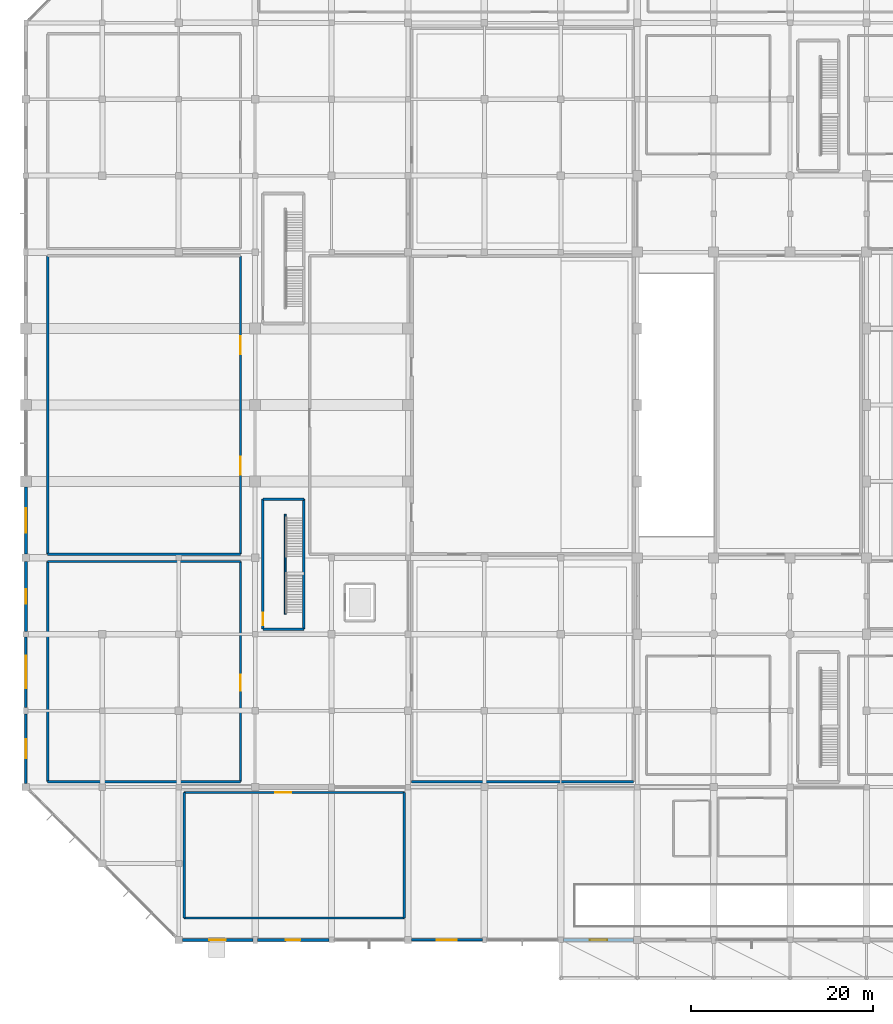
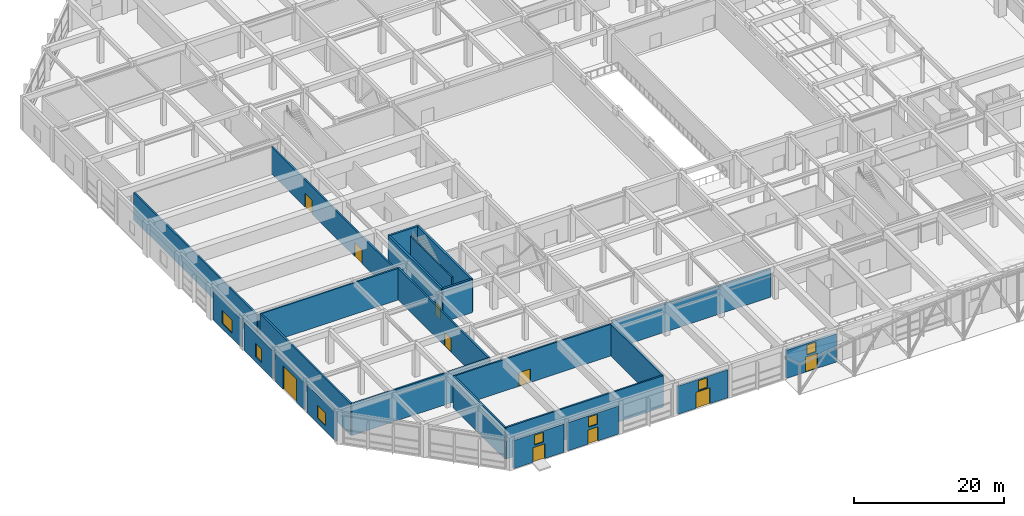
# One storey, part 41 of 62: 25 walls, 10 doors, 7 windows, 17 openings.
"""IFC4 building model written with IfcOpenShell, lengths in metres."""

from ifc_helpers import new_model, si_unit, direction, frame, frame_2d, origin, place, context, subcontext, project, spatial, rectangle, extrude, material, layer, layer_set, type_object, element, fill, save


model = new_model("IFC4")

# Units and contexts
model_context = context("Model", 3, precision=1e-05, world=origin(), true_north=direction((0.0, 1.0)))
body_context = subcontext(model_context, "Body", "Model", "MODEL_VIEW")
ifc_project = project(units=[si_unit("LENGTHUNIT", "METRE"), si_unit("AREAUNIT", "SQUARE_METRE"), si_unit("VOLUMEUNIT", "CUBIC_METRE"), si_unit("PLANEANGLEUNIT", "RADIAN"), si_unit("MASSUNIT", "GRAM", prefix="KILO")], contexts=[model_context])

# Site, building, storey
site_placement = place(None, origin())
site = spatial("IfcSite", under=ifc_project, at=site_placement, CompositionType="ELEMENT")
building_placement = place(site_placement, origin())
building = spatial("IfcBuilding", under=site, at=building_placement, Name="Xuanlan Plaza Opera House", CompositionType="ELEMENT")
storey_placement = place(building_placement, origin())
storey = spatial("IfcBuildingStorey", under=building, at=storey_placement, Name="L00", CompositionType="ELEMENT", Elevation=0.0)

# Wall, openings, door, window
ifc_material_1 = material(Name="Anodised Aluminium 6063-T6 and Rockwool Cladding", Category="aluminium")
ifc_layer_1 = layer(ifc_material_1, 0.340087890625)
ifc_layer_set_1 = layer_set([ifc_layer_1], Name="Anodised Aluminium 6063-T6 and Rockwool Cladding")
wall_type_1 = type_object("IfcWallType", Name="ENV-WL-EW-02", PredefinedType="STANDARD", material=ifc_layer_set_1)
wall_1_placement = place(storey_placement, frame((59.10009765625, 0.0, 0.0), z_axis=(0.0, 0.0, 1.0), x_axis=(1.0, 0.0, 0.0)))
wall_1 = element("IfcWall", 1, at=wall_1_placement, inside=storey, type_object=wall_type_1, Name="Exterior Wall L00-006", PredefinedType="STANDARD", context=body_context, shape_type="SweptSolid", body=[
    extrude(rectangle(XDim=7.699951171875, YDim=0.340087890625, at=frame_2d((3.85009765625, 0.0))), origin(), (0.0, 0.0, 1.0), 4.580078125),
])
opening_1_placement = place(wall_1_placement, frame((2.89990234375, 0.0, 0.0)))
opening_1 = element("IfcOpeningElement", 2, at=opening_1_placement, cuts=wall_1, Name="Opening ED-05", PredefinedType="OPENING", context=body_context, shape_type="SweptSolid", body=[
    extrude(rectangle(XDim=1.89990234375, YDim=2.449951171875, at=frame_2d((0.949951171875, 1.22509765625))), frame((0.0, 0.179931640625, 0.0), z_axis=(0.0, -1.0, 0.0), x_axis=(1.0, 0.0, 0.0)), (0.0, 0.0, 1.0), 0.360107421875),
])
opening_2_placement = place(wall_1_placement, frame((3.14990234375, 0.0, 2.75)))
opening_2 = element("IfcOpeningElement", 3, at=opening_2_placement, cuts=wall_1, Name="Opening WN-08", PredefinedType="OPENING", context=body_context, shape_type="SweptSolid", body=[
    extrude(rectangle(XDim=1.39990234375, YDim=1.60009765625, at=frame_2d((0.699951171875, 0.800048828125))), frame((0.0, 0.179931640625, 0.0), z_axis=(0.0, -1.0, 0.0), x_axis=(1.0, 0.0, 0.0)), (0.0, 0.0, 1.0), 0.360107421875),
])
ifc_material_2 = material(Name="Anodised Aluminium 6063-T6 and Laminated Safety Glass", Category="aluminium")
door_type_1 = type_object("IfcDoorType", Name="ENV-DR-ED-05", OperationType="DOUBLE_DOOR_SINGLE_SWING", PredefinedType="DOOR", material=ifc_material_2)
door_1_placement = place(opening_1_placement, frame((1.89990234375, 0.0, 0.0), z_axis=(0.0, 0.0, 1.0), x_axis=(-1.0, 0.0, 0.0)))
door_1 = element("IfcDoor", 4, at=door_1_placement, inside=storey, type_object=door_type_1, Name="Plaza Pedestrian Exit Door 04", OperationType="DOUBLE_DOOR_SINGLE_SWING", OverallHeight=2.449951171875, OverallWidth=1.89990234375, PredefinedType="DOOR", context=body_context, shape_type="SweptSolid", body=[
    extrude(rectangle(XDim=1.89990234375, YDim=2.449951171875, at=frame_2d((0.949951171875, 1.22509765625))), frame((0.0, 0.02490234375, 0.0), z_axis=(0.0, -1.0, 0.0), x_axis=(1.0, 0.0, 0.0)), (0.0, 0.0, 1.0), 0.050048828125),
])
fill(opening_1, door_1)
ifc_material_3 = material(Name="Anodised Aluminium 6063-T6 and Low-E Glass", Category="aluminium")
window_type_1 = type_object("IfcWindowType", Name="ENV-WN-WN-08", PartitioningType="SINGLE_PANEL", PredefinedType="WINDOW", material=ifc_material_3)
window_1_placement = place(opening_2_placement, origin())
window_1 = element("IfcWindow", 5, at=window_1_placement, inside=storey, type_object=window_type_1, Name="Entrance Portal Transom Clerestory 04", OverallHeight=1.60009765625, OverallWidth=1.39990234375, PartitioningType="SINGLE_PANEL", PredefinedType="WINDOW", context=body_context, shape_type="SweptSolid", body=[
    extrude(rectangle(XDim=1.39990234375, YDim=1.60009765625, at=frame_2d((0.699951171875, 0.800048828125))), frame((0.0, 0.030029296875, 0.0), z_axis=(0.0, -1.0, 0.0), x_axis=(1.0, 0.0, 0.0)), (0.0, 0.0, 1.0), 0.06005859375),
])
fill(opening_2, window_1)

ifc_layer_2 = layer(ifc_material_1, 0.320068359375)
ifc_layer_set_2 = layer_set([ifc_layer_2], Name="Anodised Aluminium 6063-T6 and Rockwool Cladding")
wall_type_2 = type_object("IfcWallType", Name="ENV-WL-EW-03", PredefinedType="STANDARD", material=ifc_layer_set_2)
wall_2_placement = place(storey_placement, frame((17.199951171875, 0.0, 0.0), z_axis=(0.0, 0.0, 1.0), x_axis=(1.0, 0.0, 0.0)))
wall_2 = element("IfcWall", 6, at=wall_2_placement, inside=storey, type_object=wall_type_2, Name="Exterior Wall L00-001", PredefinedType="STANDARD", context=body_context, shape_type="SweptSolid", body=[
    extrude(rectangle(XDim=7.75, YDim=0.320068359375, at=frame_2d((3.875, 0.0))), origin(), (0.0, 0.0, 1.0), 4.580078125),
])
opening_3_placement = place(wall_2_placement, frame((2.97509765625, 0.0, 0.0)))
opening_3 = element("IfcOpeningElement", 7, at=opening_3_placement, cuts=wall_2, Name="Opening ED-02", PredefinedType="OPENING", context=body_context, shape_type="SweptSolid", body=[
    extrude(rectangle(XDim=1.800048828125, YDim=2.39990234375, at=frame_2d((0.89990234375, 1.199951171875))), frame((0.0, 0.169921875, 0.0), z_axis=(0.0, -1.0, 0.0), x_axis=(1.0, 0.0, 0.0)), (0.0, 0.0, 1.0), 0.340087890625),
])
opening_4_placement = place(wall_2_placement, frame((3.175048828125, 0.0, 2.75)))
opening_4 = element("IfcOpeningElement", 8, at=opening_4_placement, cuts=wall_2, Name="Opening WN-08", PredefinedType="OPENING", context=body_context, shape_type="SweptSolid", body=[
    extrude(rectangle(XDim=1.39990234375, YDim=1.60009765625, at=frame_2d((0.699951171875, 0.800048828125))), frame((0.0, 0.169921875, 0.0), z_axis=(0.0, -1.0, 0.0), x_axis=(1.0, 0.0, 0.0)), (0.0, 0.0, 1.0), 0.340087890625),
])
door_type_2 = type_object("IfcDoorType", Name="ENV-DR-ED-02", OperationType="DOUBLE_DOOR_SINGLE_SWING", PredefinedType="DOOR", material=ifc_material_2)
door_2_placement = place(opening_3_placement, frame((1.800048828125, 0.0, 0.0), z_axis=(0.0, 0.0, 1.0), x_axis=(-1.0, 0.0, 0.0)))
door_2 = element("IfcDoor", 9, at=door_2_placement, inside=storey, type_object=door_type_2, Name="Plaza Pedestrian Exit Door 01", OperationType="DOUBLE_DOOR_SINGLE_SWING", OverallHeight=2.39990234375, OverallWidth=1.800048828125, PredefinedType="DOOR", context=body_context, shape_type="SweptSolid", body=[
    extrude(rectangle(XDim=1.800048828125, YDim=2.39990234375, at=frame_2d((0.89990234375, 1.199951171875))), frame((0.0, 0.02490234375, 0.0), z_axis=(0.0, -1.0, 0.0), x_axis=(1.0, 0.0, 0.0)), (0.0, 0.0, 1.0), 0.050048828125),
])
fill(opening_3, door_2)
window_2_placement = place(opening_4_placement, origin())
window_2 = element("IfcWindow", 10, at=window_2_placement, inside=storey, type_object=window_type_1, Name="Entrance Portal Transom Clerestory 01", OverallHeight=1.60009765625, OverallWidth=1.39990234375, PartitioningType="SINGLE_PANEL", PredefinedType="WINDOW", context=body_context, shape_type="SweptSolid", body=[
    extrude(rectangle(XDim=1.39990234375, YDim=1.60009765625, at=frame_2d((0.699951171875, 0.800048828125))), frame((0.0, 0.030029296875, 0.0), z_axis=(0.0, -1.0, 0.0), x_axis=(1.0, 0.0, 0.0)), (0.0, 0.0, 1.0), 0.06005859375),
])
fill(opening_4, window_2)

# Wall, opening, window
wall_3_placement = place(storey_placement, frame((0.0, 49.800048828125, 0.0), z_axis=(0.0, 0.0, 1.0), x_axis=(0.0, -1.0, 0.0)))
wall_3 = element("IfcWall", 11, at=wall_3_placement, inside=storey, type_object=wall_type_2, Name="Exterior Wall L00-055", PredefinedType="STANDARD", context=body_context, shape_type="SweptSolid", body=[
    extrude(rectangle(XDim=7.400146484375, YDim=0.320068359375, at=frame_2d((3.7001953125, 0.0))), origin(), (0.0, 0.0, 1.0), 4.580078125),
])
opening_5_placement = place(wall_3_placement, frame((2.35009765625, 0.0, 0.85009765625)))
opening_5 = element("IfcOpeningElement", 12, at=opening_5_placement, cuts=wall_3, Name="Opening WN-19", PredefinedType="OPENING", context=body_context, shape_type="SweptSolid", body=[
    extrude(rectangle(XDim=2.699951171875, YDim=2.10009765625, at=frame_2d((1.35009765625, 1.050048828125))), frame((0.0, 0.169921875, 0.0), z_axis=(0.0, -1.0, 0.0), x_axis=(1.0, 0.0, 0.0)), (0.0, 0.0, 1.0), 0.340087890625),
])
window_type_2 = type_object("IfcWindowType", Name="ENV-WN-WN-19", PartitioningType="TRIPLE_PANEL_VERTICAL", PredefinedType="WINDOW", material=ifc_material_3)
window_3_placement = place(opening_5_placement, origin())
window_3 = element("IfcWindow", 13, at=window_3_placement, inside=storey, type_object=window_type_2, Name="Facade Window L00-055", OverallHeight=2.10009765625, OverallWidth=2.699951171875, PartitioningType="TRIPLE_PANEL_VERTICAL", PredefinedType="WINDOW", context=body_context, shape_type="SweptSolid", body=[
    extrude(rectangle(XDim=2.699951171875, YDim=2.10009765625, at=frame_2d((1.35009765625, 1.050048828125))), frame((0.0, 0.030029296875, 0.0), z_axis=(0.0, -1.0, 0.0), x_axis=(1.0, 0.0, 0.0)), (0.0, 0.0, 1.0), 0.06005859375),
])
fill(opening_5, window_3)

# Wall, openings, door, window
ifc_layer_3 = layer(ifc_material_1, 0.31005859375)
ifc_layer_set_3 = layer_set([ifc_layer_3], Name="Anodised Aluminium 6063-T6 and Rockwool Cladding")
wall_type_3 = type_object("IfcWallType", Name="ENV-WL-EW-04", PredefinedType="STANDARD", material=ifc_layer_set_3)
wall_4_placement = place(storey_placement, frame((25.449951171875, 0.0, 0.0), z_axis=(0.0, 0.0, 1.0), x_axis=(1.0, 0.0, 0.0)))
wall_4 = element("IfcWall", 14, at=wall_4_placement, inside=storey, type_object=wall_type_3, Name="Exterior Wall L00-002", PredefinedType="STANDARD", context=body_context, shape_type="SweptSolid", body=[
    extrude(rectangle(XDim=7.85009765625, YDim=0.31005859375, at=frame_2d((3.925048828125, 0.0))), origin(), (0.0, 0.0, 1.0), 4.580078125),
])
opening_6_placement = place(wall_4_placement, frame((3.125, 0.0, 0.0)))
opening_6 = element("IfcOpeningElement", 15, at=opening_6_placement, cuts=wall_4, Name="Opening ED-03", PredefinedType="OPENING", context=body_context, shape_type="SweptSolid", body=[
    extrude(rectangle(XDim=1.60009765625, YDim=2.300048828125, at=frame_2d((0.800048828125, 1.14990234375))), frame((0.0, 0.1650390625, 0.0), z_axis=(0.0, -1.0, 0.0), x_axis=(1.0, 0.0, 0.0)), (0.0, 0.0, 1.0), 0.330078125),
])
opening_7_placement = place(wall_4_placement, frame((3.22509765625, 0.0, 2.75)))
opening_7 = element("IfcOpeningElement", 16, at=opening_7_placement, cuts=wall_4, Name="Opening WN-08", PredefinedType="OPENING", context=body_context, shape_type="SweptSolid", body=[
    extrude(rectangle(XDim=1.39990234375, YDim=1.60009765625, at=frame_2d((0.699951171875, 0.800048828125))), frame((0.0, 0.1650390625, 0.0), z_axis=(0.0, -1.0, 0.0), x_axis=(1.0, 0.0, 0.0)), (0.0, 0.0, 1.0), 0.330078125),
])
door_type_3 = type_object("IfcDoorType", Name="ENV-DR-ED-03", OperationType="DOUBLE_DOOR_SINGLE_SWING", PredefinedType="DOOR", material=ifc_material_2)
door_3_placement = place(opening_6_placement, frame((1.60009765625, 0.0, 0.0), z_axis=(0.0, 0.0, 1.0), x_axis=(-1.0, 0.0, 0.0)))
door_3 = element("IfcDoor", 17, at=door_3_placement, inside=storey, type_object=door_type_3, Name="Plaza Pedestrian Exit Door 02", OperationType="DOUBLE_DOOR_SINGLE_SWING", OverallHeight=2.300048828125, OverallWidth=1.60009765625, PredefinedType="DOOR", context=body_context, shape_type="SweptSolid", body=[
    extrude(rectangle(XDim=1.60009765625, YDim=2.300048828125, at=frame_2d((0.800048828125, 1.14990234375))), frame((0.0, 0.02490234375, 0.0), z_axis=(0.0, -1.0, 0.0), x_axis=(1.0, 0.0, 0.0)), (0.0, 0.0, 1.0), 0.050048828125),
])
fill(opening_6, door_3)
window_4_placement = place(opening_7_placement, origin())
window_4 = element("IfcWindow", 18, at=window_4_placement, inside=storey, type_object=window_type_1, Name="Entrance Portal Transom Clerestory 02", OverallHeight=1.60009765625, OverallWidth=1.39990234375, PartitioningType="SINGLE_PANEL", PredefinedType="WINDOW", context=body_context, shape_type="SweptSolid", body=[
    extrude(rectangle(XDim=1.39990234375, YDim=1.60009765625, at=frame_2d((0.699951171875, 0.800048828125))), frame((0.0, 0.030029296875, 0.0), z_axis=(0.0, -1.0, 0.0), x_axis=(1.0, 0.0, 0.0)), (0.0, 0.0, 1.0), 0.06005859375),
])
fill(opening_7, window_4)

# Wall, opening, window
wall_5_placement = place(storey_placement, frame((0.0, 41.60009765625, 0.0), z_axis=(0.0, 0.0, 1.0), x_axis=(0.0, -1.0, 0.0)))
wall_5 = element("IfcWall", 19, at=wall_5_placement, inside=storey, type_object=wall_type_3, Name="Exterior Wall L00-056", PredefinedType="STANDARD", context=body_context, shape_type="SweptSolid", body=[
    extrude(rectangle(XDim=7.7001953125, YDim=0.31005859375, at=frame_2d((3.85009765625, 0.0))), origin(), (0.0, 0.0, 1.0), 4.580078125),
])
opening_8_placement = place(wall_5_placement, frame((3.074951171875, 0.0, 0.85009765625)))
opening_8 = element("IfcOpeningElement", 20, at=opening_8_placement, cuts=wall_5, Name="Opening WN-20", PredefinedType="OPENING", context=body_context, shape_type="SweptSolid", body=[
    extrude(rectangle(XDim=1.550048828125, YDim=2.14990234375, at=frame_2d((0.77490234375, 1.074951171875))), frame((0.0, 0.1650390625, 0.0), z_axis=(0.0, -1.0, 0.0), x_axis=(1.0, 0.0, 0.0)), (0.0, 0.0, 1.0), 0.330078125),
])
window_type_3 = type_object("IfcWindowType", Name="ENV-WN-WN-20", PartitioningType="SINGLE_PANEL", PredefinedType="WINDOW", material=ifc_material_3)
window_5_placement = place(opening_8_placement, origin())
window_5 = element("IfcWindow", 21, at=window_5_placement, inside=storey, type_object=window_type_3, Name="Facade Window L00-056", OverallHeight=2.14990234375, OverallWidth=1.550048828125, PartitioningType="SINGLE_PANEL", PredefinedType="WINDOW", context=body_context, shape_type="SweptSolid", body=[
    extrude(rectangle(XDim=1.550048828125, YDim=2.14990234375, at=frame_2d((0.77490234375, 1.074951171875))), frame((0.0, 0.030029296875, 0.0), z_axis=(0.0, -1.0, 0.0), x_axis=(1.0, 0.0, 0.0)), (0.0, 0.0, 1.0), 0.06005859375),
])
fill(opening_8, window_5)

# Wall, opening, door
ifc_layer_4 = layer(ifc_material_1, 0.2900390625)
ifc_layer_set_4 = layer_set([ifc_layer_4], Name="Anodised Aluminium 6063-T6 and Rockwool Cladding")
wall_type_4 = type_object("IfcWallType", Name="ENV-WL-EW-05", PredefinedType="STANDARD", material=ifc_layer_set_4)
wall_6_placement = place(storey_placement, frame((0.0, 33.300048828125, 0.0), z_axis=(0.0, 0.0, 1.0), x_axis=(0.0, -1.0, 0.0)))
wall_6 = element("IfcWall", 22, at=wall_6_placement, inside=storey, type_object=wall_type_4, Name="Exterior Wall L00-057", PredefinedType="STANDARD", context=body_context, shape_type="SweptSolid", body=[
    extrude(rectangle(XDim=7.72509765625, YDim=0.2900390625, at=frame_2d((3.862548828125, 0.0))), origin(), (0.0, 0.0, 1.0), 4.580078125),
])
opening_9_placement = place(wall_6_placement, frame((2.06201171875, 0.0, 0.0)))
opening_9 = element("IfcOpeningElement", 23, at=opening_9_placement, cuts=wall_6, Name="Opening SD-01", PredefinedType="OPENING", context=body_context, shape_type="SweptSolid", body=[
    extrude(rectangle(XDim=3.60009765625, YDim=3.800048828125, at=frame_2d((1.800048828125, 1.89990234375))), frame((0.0, 0.155029296875, 0.0), z_axis=(0.0, -1.0, 0.0), x_axis=(1.0, 0.0, 0.0)), (0.0, 0.0, 1.0), 0.31005859375),
])
ifc_material_4 = material(Name="Galvanised Steel Q235B", Category="steel")
door_type_4 = type_object("IfcDoorType", Name="ENV-DR-SD-01", OperationType="ROLLINGUP", PredefinedType="DOOR", material=ifc_material_4)
door_4_placement = place(opening_9_placement, frame((3.60009765625, 0.0, 0.0), z_axis=(0.0, 0.0, 1.0), x_axis=(-1.0, 0.0, 0.0)))
door_4 = element("IfcDoor", 24, at=door_4_placement, inside=storey, type_object=door_type_4, Name="Scenery Loading Dock Roller Door", OperationType="ROLLINGUP", OverallHeight=3.800048828125, OverallWidth=3.60009765625, PredefinedType="DOOR", context=body_context, shape_type="SweptSolid", body=[
    extrude(rectangle(XDim=3.60009765625, YDim=3.800048828125, at=frame_2d((1.800048828125, 1.89990234375))), frame((0.0, 0.02490234375, 0.0), z_axis=(0.0, -1.0, 0.0), x_axis=(1.0, 0.0, 0.0)), (0.0, 0.0, 1.0), 0.050048828125),
])
fill(opening_9, door_4)

# Wall, openings, door, window
ifc_layer_5 = layer(ifc_material_1, 0.27001953125)
ifc_layer_set_5 = layer_set([ifc_layer_5], Name="Anodised Aluminium 6063-T6 and Rockwool Cladding")
wall_type_5 = type_object("IfcWallType", Name="ENV-WL-EW-06", PredefinedType="STANDARD", material=ifc_layer_set_5)
wall_7_placement = place(storey_placement, frame((42.39990234375, 0.0, 0.0), z_axis=(0.0, 0.0, 1.0), x_axis=(1.0, 0.0, 0.0)))
wall_7 = element("IfcWall", 25, at=wall_7_placement, inside=storey, type_object=wall_type_5, Name="Exterior Wall L00-004", PredefinedType="STANDARD", context=body_context, shape_type="SweptSolid", body=[
    extrude(rectangle(XDim=7.775146484375, YDim=0.27001953125, at=frame_2d((3.8876953125, 0.0))), origin(), (0.0, 0.0, 1.0), 4.580078125),
])
opening_10_placement = place(wall_7_placement, frame((2.787109375, 0.0, 0.0)))
opening_10 = element("IfcOpeningElement", 26, at=opening_10_placement, cuts=wall_7, Name="Opening ED-04", PredefinedType="OPENING", context=body_context, shape_type="SweptSolid", body=[
    extrude(rectangle(XDim=2.199951171875, YDim=2.60009765625, at=frame_2d((1.10009765625, 1.300048828125))), frame((0.0, 0.14501953125, 0.0), z_axis=(0.0, -1.0, 0.0), x_axis=(1.0, 0.0, 0.0)), (0.0, 0.0, 1.0), 0.2900390625),
])
opening_11_placement = place(wall_7_placement, frame((3.18701171875, 0.0, 2.75)))
opening_11 = element("IfcOpeningElement", 27, at=opening_11_placement, cuts=wall_7, Name="Opening WN-08", PredefinedType="OPENING", context=body_context, shape_type="SweptSolid", body=[
    extrude(rectangle(XDim=1.39990234375, YDim=1.60009765625, at=frame_2d((0.699951171875, 0.800048828125))), frame((0.0, 0.14501953125, 0.0), z_axis=(0.0, -1.0, 0.0), x_axis=(1.0, 0.0, 0.0)), (0.0, 0.0, 1.0), 0.2900390625),
])
door_type_5 = type_object("IfcDoorType", Name="ENV-DR-ED-04", OperationType="DOUBLE_DOOR_SINGLE_SWING", PredefinedType="DOOR", material=ifc_material_2)
door_5_placement = place(opening_10_placement, frame((2.199951171875, 0.0, 0.0), z_axis=(0.0, 0.0, 1.0), x_axis=(-1.0, 0.0, 0.0)))
door_5 = element("IfcDoor", 28, at=door_5_placement, inside=storey, type_object=door_type_5, Name="Plaza Pedestrian Exit Door 03", OperationType="DOUBLE_DOOR_SINGLE_SWING", OverallHeight=2.60009765625, OverallWidth=2.199951171875, PredefinedType="DOOR", context=body_context, shape_type="SweptSolid", body=[
    extrude(rectangle(XDim=2.199951171875, YDim=2.60009765625, at=frame_2d((1.10009765625, 1.300048828125))), frame((0.0, 0.02490234375, 0.0), z_axis=(0.0, -1.0, 0.0), x_axis=(1.0, 0.0, 0.0)), (0.0, 0.0, 1.0), 0.050048828125),
])
fill(opening_10, door_5)
window_6_placement = place(opening_11_placement, origin())
window_6 = element("IfcWindow", 29, at=window_6_placement, inside=storey, type_object=window_type_1, Name="Entrance Portal Transom Clerestory 03", OverallHeight=1.60009765625, OverallWidth=1.39990234375, PartitioningType="SINGLE_PANEL", PredefinedType="WINDOW", context=body_context, shape_type="SweptSolid", body=[
    extrude(rectangle(XDim=1.39990234375, YDim=1.60009765625, at=frame_2d((0.699951171875, 0.800048828125))), frame((0.0, 0.030029296875, 0.0), z_axis=(0.0, -1.0, 0.0), x_axis=(1.0, 0.0, 0.0)), (0.0, 0.0, 1.0), 0.06005859375),
])
fill(opening_11, window_6)

# Wall, opening, window
wall_8_placement = place(storey_placement, frame((0.0, 24.824951171875, 0.0), z_axis=(0.0, 0.0, 1.0), x_axis=(0.0, -1.0, 0.0)))
wall_8 = element("IfcWall", 30, at=wall_8_placement, inside=storey, type_object=wall_type_5, Name="Exterior Wall L00-058", PredefinedType="STANDARD", context=body_context, shape_type="SweptSolid", body=[
    extrude(rectangle(XDim=7.625, YDim=0.27001953125, at=frame_2d((3.8125, 0.0))), origin(), (0.0, 0.0, 1.0), 4.580078125),
])
opening_12_placement = place(wall_8_placement, frame((2.762939453125, 0.0, 0.85009765625)))
opening_12 = element("IfcOpeningElement", 31, at=opening_12_placement, cuts=wall_8, Name="Opening WN-02", PredefinedType="OPENING", context=body_context, shape_type="SweptSolid", body=[
    extrude(rectangle(XDim=2.10009765625, YDim=2.10009765625, at=frame_2d((1.050048828125, 1.050048828125))), frame((0.0, 0.14501953125, 0.0), z_axis=(0.0, -1.0, 0.0), x_axis=(1.0, 0.0, 0.0)), (0.0, 0.0, 1.0), 0.2900390625),
])
window_type_4 = type_object("IfcWindowType", Name="ENV-WN-WN-02", PartitioningType="DOUBLE_PANEL_VERTICAL", PredefinedType="WINDOW", material=ifc_material_3)
window_7_placement = place(opening_12_placement, origin())
window_7 = element("IfcWindow", 32, at=window_7_placement, inside=storey, type_object=window_type_4, Name="Facade Window L00-058", OverallHeight=2.10009765625, OverallWidth=2.10009765625, PartitioningType="DOUBLE_PANEL_VERTICAL", PredefinedType="WINDOW", context=body_context, shape_type="SweptSolid", body=[
    extrude(rectangle(XDim=2.10009765625, YDim=2.10009765625, at=frame_2d((1.050048828125, 1.050048828125))), frame((0.0, 0.030029296875, 0.0), z_axis=(0.0, -1.0, 0.0), x_axis=(1.0, 0.0, 0.0)), (0.0, 0.0, 1.0), 0.06005859375),
])
fill(opening_12, window_7)

# Walls
ifc_material_5 = material(Name="Gypsum Board and Galvanised Steel Studs", Category="gypsum")
ifc_layer_6 = layer(ifc_material_5, 0.239990234375)
ifc_layer_set_6 = layer_set([ifc_layer_6], Name="Gypsum Board and Galvanised Steel Studs")
wall_type_6 = type_object("IfcWallType", Name="INT-WL-PW-01", PredefinedType="PARTITIONING", material=ifc_layer_set_6)
wall_9_placement = place(storey_placement, frame((2.39990234375, 42.39990234375, 0.0), z_axis=(0.0, 0.0, 1.0), x_axis=(1.0, 0.0, 0.0)))
element("IfcWall", 33, at=wall_9_placement, inside=storey, type_object=wall_type_6, Name="Scenery Workshop Wall South", PredefinedType="PARTITIONING", context=body_context, shape_type="SweptSolid", body=[
    extrude(rectangle(XDim=21.2001953125, YDim=0.239990234375, at=frame_2d((10.60009765625, 0.0))), origin(), (0.0, 0.0, 1.0), 4.43994140625),
])
wall_10_placement = place(storey_placement, frame((2.39990234375, 42.39990234375, 0.0), z_axis=(0.0, 0.0, 1.0), x_axis=(0.0, 1.0, 0.0)))
element("IfcWall", 34, at=wall_10_placement, inside=storey, type_object=wall_type_6, Name="Scenery Workshop Wall West", PredefinedType="PARTITIONING", context=body_context, shape_type="SweptSolid", body=[
    extrude(rectangle(XDim=32.800048828125, YDim=0.239990234375, at=frame_2d((16.39990234375, 0.0))), origin(), (0.0, 0.0, 1.0), 4.43994140625),
])

# Wall, openings, doors
wall_11_placement = place(storey_placement, frame((23.60009765625, 42.39990234375, 0.0), z_axis=(0.0, 0.0, 1.0), x_axis=(0.0, 1.0, 0.0)))
wall_11 = element("IfcWall", 35, at=wall_11_placement, inside=storey, type_object=wall_type_6, Name="Scenery Workshop Wall East", PredefinedType="PARTITIONING", context=body_context, shape_type="SweptSolid", body=[
    extrude(rectangle(XDim=32.800048828125, YDim=0.239990234375, at=frame_2d((16.39990234375, 0.0))), origin(), (0.0, 0.0, 1.0), 4.43994140625),
])
opening_13_placement = place(wall_11_placement, frame((8.75, 0.0, 0.0)))
opening_13 = element("IfcOpeningElement", 36, at=opening_13_placement, cuts=wall_11, Name="Opening FD-04", PredefinedType="OPENING", context=body_context, shape_type="SweptSolid", body=[
    extrude(rectangle(XDim=1.949951171875, YDim=2.300048828125, at=frame_2d((0.97509765625, 1.14990234375))), frame((0.0, 0.1298828125, 0.0), z_axis=(0.0, -1.0, 0.0), x_axis=(1.0, 0.0, 0.0)), (0.0, 0.0, 1.0), 0.260009765625),
])
opening_14_placement = place(wall_11_placement, frame((22.0, 0.0, 0.0)))
opening_14 = element("IfcOpeningElement", 37, at=opening_14_placement, cuts=wall_11, Name="Opening FD-04", PredefinedType="OPENING", context=body_context, shape_type="SweptSolid", body=[
    extrude(rectangle(XDim=1.949951171875, YDim=2.300048828125, at=frame_2d((0.97509765625, 1.14990234375))), frame((0.0, 0.1298828125, 0.0), z_axis=(0.0, -1.0, 0.0), x_axis=(1.0, 0.0, 0.0)), (0.0, 0.0, 1.0), 0.260009765625),
])
door_type_6 = type_object("IfcDoorType", Name="INT-DR-FD-04", OperationType="DOUBLE_DOOR_SINGLE_SWING", PredefinedType="DOOR", material=ifc_material_4)
door_6_placement = place(opening_13_placement, origin())
door_6 = element("IfcDoor", 38, at=door_6_placement, inside=storey, type_object=door_type_6, Name="Scenery Workshop Door 1", OperationType="DOUBLE_DOOR_SINGLE_SWING", OverallHeight=2.300048828125, OverallWidth=1.949951171875, PredefinedType="DOOR", context=body_context, shape_type="SweptSolid", body=[
    extrude(rectangle(XDim=1.949951171875, YDim=2.300048828125, at=frame_2d((0.97509765625, 1.14990234375))), frame((0.0, 0.02490234375, 0.0), z_axis=(0.0, -1.0, 0.0), x_axis=(1.0, 0.0, 0.0)), (0.0, 0.0, 1.0), 0.050048828125),
])
fill(opening_13, door_6)
door_7_placement = place(opening_14_placement, origin())
door_7 = element("IfcDoor", 39, at=door_7_placement, inside=storey, type_object=door_type_6, Name="Scenery Workshop Door 2", OperationType="DOUBLE_DOOR_SINGLE_SWING", OverallHeight=2.300048828125, OverallWidth=1.949951171875, PredefinedType="DOOR", context=body_context, shape_type="SweptSolid", body=[
    extrude(rectangle(XDim=1.949951171875, YDim=2.300048828125, at=frame_2d((0.97509765625, 1.14990234375))), frame((0.0, 0.02490234375, 0.0), z_axis=(0.0, -1.0, 0.0), x_axis=(1.0, 0.0, 0.0)), (0.0, 0.0, 1.0), 0.050048828125),
])
fill(opening_14, door_7)

# Wall
ifc_material_6 = material(Name="Concrete C40", Category="concrete")
ifc_layer_7 = layer(ifc_material_6, 0.25)
ifc_layer_set_7 = layer_set([ifc_layer_7], Name="Concrete C40")
wall_type_7 = type_object("IfcWallType", Name="INT-WL-SW-LF1", PredefinedType="SHEAR", material=ifc_layer_set_7)
wall_12_placement = place(storey_placement, frame((17.39990234375, 2.39990234375, 0.0), z_axis=(0.0, 0.0, 1.0), x_axis=(1.0, 0.0, 0.0)))
element("IfcWall", 40, at=wall_12_placement, inside=storey, type_object=wall_type_7, Name="Prop and Stage Equipment Store Wall South", PredefinedType="SHEAR", context=body_context, shape_type="SweptSolid", body=[
    extrude(rectangle(XDim=24.2001953125, YDim=0.25, at=frame_2d((12.10009765625, 0.0))), origin(), (0.0, 0.0, 1.0), 5.139892578125),
])

# Wall, opening, door
wall_13_placement = place(storey_placement, frame((17.39990234375, 16.199951171875, 0.0), z_axis=(0.0, 0.0, 1.0), x_axis=(1.0, 0.0, 0.0)))
wall_13 = element("IfcWall", 41, at=wall_13_placement, inside=storey, type_object=wall_type_7, Name="Prop and Stage Equipment Store Wall North", PredefinedType="SHEAR", context=body_context, shape_type="SweptSolid", body=[
    extrude(rectangle(XDim=24.2001953125, YDim=0.25, at=frame_2d((12.10009765625, 0.0))), origin(), (0.0, 0.0, 1.0), 5.139892578125),
])
opening_15_placement = place(wall_13_placement, frame((10.0, 0.0, 0.0)))
opening_15 = element("IfcOpeningElement", 42, at=opening_15_placement, cuts=wall_13, Name="Opening FD-03", PredefinedType="OPENING", context=body_context, shape_type="SweptSolid", body=[
    extrude(rectangle(XDim=1.75, YDim=2.199951171875, at=frame_2d((0.875, 1.10009765625))), frame((0.0, 0.135009765625, 0.0), z_axis=(0.0, -1.0, 0.0), x_axis=(1.0, 0.0, 0.0)), (0.0, 0.0, 1.0), 0.27001953125),
])
door_type_7 = type_object("IfcDoorType", Name="INT-DR-FD-03", OperationType="DOUBLE_DOOR_SINGLE_SWING", PredefinedType="DOOR", material=ifc_material_4)
door_8_placement = place(opening_15_placement, origin())
door_8 = element("IfcDoor", 43, at=door_8_placement, inside=storey, type_object=door_type_7, Name="Prop and Stage Equipment Store Door 1", OperationType="DOUBLE_DOOR_SINGLE_SWING", OverallHeight=2.199951171875, OverallWidth=1.75, PredefinedType="DOOR", context=body_context, shape_type="SweptSolid", body=[
    extrude(rectangle(XDim=1.75, YDim=2.199951171875, at=frame_2d((0.875, 1.10009765625))), frame((0.0, 0.02490234375, 0.0), z_axis=(0.0, -1.0, 0.0), x_axis=(1.0, 0.0, 0.0)), (0.0, 0.0, 1.0), 0.050048828125),
])
fill(opening_15, door_8)

# Walls
for number, where, z_axis, x_axis, name in (
    (44, (17.39990234375, 2.39990234375, 0.0), (0.0, 0.0, 1.0), (0.0, 1.0, 0.0), "Prop and Stage Equipment Store Wall West"),
    (45, (41.60009765625, 2.39990234375, 0.0), (0.0, 0.0, 1.0), (0.0, 1.0, 0.0), "Prop and Stage Equipment Store Wall East"),
):
    element("IfcWall", number, at=place(storey_placement, frame(where, z_axis=z_axis, x_axis=x_axis)), inside=storey, type_object=wall_type_7, Name=name, PredefinedType="SHEAR", context=body_context, shape_type="SweptSolid", body=[
        extrude(rectangle(XDim=13.800048828125, YDim=0.25, at=frame_2d((6.89990234375, 0.0))), origin(), (0.0, 0.0, 1.0), 5.139892578125),
    ])
for number, where, z_axis, x_axis, name in (
    (46, (2.39990234375, 17.39990234375, 0.0), (0.0, 0.0, 1.0), (1.0, 0.0, 0.0), "Scenery Loading Dock Wall South"),
    (47, (2.39990234375, 41.60009765625, 0.0), (0.0, 0.0, 1.0), (1.0, 0.0, 0.0), "Scenery Loading Dock Wall North"),
):
    element("IfcWall", number, at=place(storey_placement, frame(where, z_axis=z_axis, x_axis=x_axis)), inside=storey, type_object=wall_type_7, Name=name, PredefinedType="SHEAR", context=body_context, shape_type="SweptSolid", body=[
        extrude(rectangle(XDim=21.2001953125, YDim=0.25, at=frame_2d((10.60009765625, 0.0))), origin(), (0.0, 0.0, 1.0), 5.139892578125),
    ])
wall_14_placement = place(storey_placement, frame((2.39990234375, 17.39990234375, 0.0), z_axis=(0.0, 0.0, 1.0), x_axis=(0.0, 1.0, 0.0)))
element("IfcWall", 48, at=wall_14_placement, inside=storey, type_object=wall_type_7, Name="Scenery Loading Dock Wall West", PredefinedType="SHEAR", context=body_context, shape_type="SweptSolid", body=[
    extrude(rectangle(XDim=24.2001953125, YDim=0.25, at=frame_2d((12.10009765625, 0.0))), origin(), (0.0, 0.0, 1.0), 5.139892578125),
])

# Wall, opening, door
wall_15_placement = place(storey_placement, frame((23.60009765625, 17.39990234375, 0.0), z_axis=(0.0, 0.0, 1.0), x_axis=(0.0, 1.0, 0.0)))
wall_15 = element("IfcWall", 49, at=wall_15_placement, inside=storey, type_object=wall_type_7, Name="Scenery Loading Dock Wall East", PredefinedType="SHEAR", context=body_context, shape_type="SweptSolid", body=[
    extrude(rectangle(XDim=24.2001953125, YDim=0.25, at=frame_2d((12.10009765625, 0.0))), origin(), (0.0, 0.0, 1.0), 5.139892578125),
])
opening_16_placement = place(wall_15_placement, frame((10.0, 0.0, 0.0)))
opening_16 = element("IfcOpeningElement", 50, at=opening_16_placement, cuts=wall_15, Name="Opening FD-03", PredefinedType="OPENING", context=body_context, shape_type="SweptSolid", body=[
    extrude(rectangle(XDim=1.75, YDim=2.199951171875, at=frame_2d((0.875, 1.10009765625))), frame((0.0, 0.135009765625, 0.0), z_axis=(0.0, -1.0, 0.0), x_axis=(1.0, 0.0, 0.0)), (0.0, 0.0, 1.0), 0.27001953125),
])
door_9_placement = place(opening_16_placement, origin())
door_9 = element("IfcDoor", 51, at=door_9_placement, inside=storey, type_object=door_type_7, Name="Scenery Loading Dock Door 1", OperationType="DOUBLE_DOOR_SINGLE_SWING", OverallHeight=2.199951171875, OverallWidth=1.75, PredefinedType="DOOR", context=body_context, shape_type="SweptSolid", body=[
    extrude(rectangle(XDim=1.75, YDim=2.199951171875, at=frame_2d((0.875, 1.10009765625))), frame((0.0, 0.02490234375, 0.0), z_axis=(0.0, -1.0, 0.0), x_axis=(1.0, 0.0, 0.0)), (0.0, 0.0, 1.0), 0.050048828125),
])
fill(opening_16, door_9)

# Walls
ifc_layer_8 = layer(ifc_material_6, 0.199951171875)
ifc_layer_set_8 = layer_set([ifc_layer_8], Name="Concrete C40")
wall_type_8 = type_object("IfcWallType", Name="INT-WL-SW-SPN", PredefinedType="SHEAR", material=ifc_layer_set_8)
wall_16_placement = place(storey_placement, frame((28.5, 35.800048828125, 0.0), z_axis=(0.0, 0.0, 1.0), x_axis=(0.0, 1.0, 0.0)))
element("IfcWall", 52, at=wall_16_placement, inside=storey, type_object=wall_type_8, Name="Stair Structural Spine Wall ST-P1 L00", PredefinedType="SHEAR", context=body_context, shape_type="SweptSolid", body=[
    extrude(rectangle(XDim=11.0, YDim=0.199951171875, at=frame_2d((5.5, 0.0))), origin(), (0.0, 0.0, 1.0), 5.39990234375),
])
ifc_layer_9 = layer(ifc_material_6, 0.300048828125)
ifc_layer_set_9 = layer_set([ifc_layer_9], Name="Concrete C40")
wall_type_9 = type_object("IfcWallType", Name="INT-WL-SW-ST1", PredefinedType="SHEAR", material=ifc_layer_set_9)
for number, where, z_axis, x_axis, name in (
    (53, (26.050048828125, 34.14990234375, 0.0), (0.0, 0.0, 1.0), (1.0, 0.0, 0.0), "Stair Core Wall ST-P1 L00 South"),
    (54, (26.050048828125, 48.449951171875, 0.0), (0.0, 0.0, 1.0), (1.0, 0.0, 0.0), "Stair Core Wall ST-P1 L00 North"),
):
    element("IfcWall", number, at=place(storey_placement, frame(where, z_axis=z_axis, x_axis=x_axis)), inside=storey, type_object=wall_type_9, Name=name, PredefinedType="SHEAR", context=body_context, shape_type="SweptSolid", body=[
        extrude(rectangle(XDim=4.5, YDim=0.300048828125, at=frame_2d((2.25, 0.0))), origin(), (0.0, 0.0, 1.0), 5.39990234375),
    ])

# Wall, opening, door
wall_17_placement = place(storey_placement, frame((26.050048828125, 34.14990234375, 0.0), z_axis=(0.0, 0.0, 1.0), x_axis=(0.0, 1.0, 0.0)))
wall_17 = element("IfcWall", 55, at=wall_17_placement, inside=storey, type_object=wall_type_9, Name="Stair Core Wall ST-P1 L00 West", PredefinedType="SHEAR", context=body_context, shape_type="SweptSolid", body=[
    extrude(rectangle(XDim=14.300048828125, YDim=0.300048828125, at=frame_2d((7.14990234375, 0.0))), origin(), (0.0, 0.0, 1.0), 5.39990234375),
])
opening_17_placement = place(wall_17_placement, frame((0.449951171875, 0.0, 0.0)))
opening_17 = element("IfcOpeningElement", 56, at=opening_17_placement, cuts=wall_17, Name="Opening FD-ST2", PredefinedType="OPENING", context=body_context, shape_type="SweptSolid", body=[
    extrude(rectangle(XDim=1.35009765625, YDim=2.14990234375, at=frame_2d((0.675048828125, 1.074951171875))), frame((0.0, 0.159912109375, 0.0), z_axis=(0.0, -1.0, 0.0), x_axis=(1.0, 0.0, 0.0)), (0.0, 0.0, 1.0), 0.320068359375),
])
door_type_8 = type_object("IfcDoorType", Name="INT-DR-FD-ST2", OperationType="NOTDEFINED", PredefinedType="DOOR", material=ifc_material_4)
door_10_placement = place(opening_17_placement, origin())
door_10 = element("IfcDoor", 57, at=door_10_placement, inside=storey, type_object=door_type_8, Name="Stair Enclosure Fire Door ST-P1 L00", OperationType="SINGLE_SWING_LEFT", OverallHeight=2.14990234375, OverallWidth=1.35009765625, PredefinedType="DOOR", context=body_context, shape_type="SweptSolid", body=[
    extrude(rectangle(XDim=1.35009765625, YDim=2.14990234375, at=frame_2d((0.675048828125, 1.074951171875))), frame((0.0, 0.02490234375, 0.0), z_axis=(0.0, -1.0, 0.0), x_axis=(1.0, 0.0, 0.0)), (0.0, 0.0, 1.0), 0.050048828125),
])
fill(opening_17, door_10)

# Walls
wall_18_placement = place(storey_placement, frame((30.550048828125, 34.14990234375, 0.0), z_axis=(0.0, 0.0, 1.0), x_axis=(0.0, 1.0, 0.0)))
element("IfcWall", 58, at=wall_18_placement, inside=storey, type_object=wall_type_9, Name="Stair Core Wall ST-P1 L00 East", PredefinedType="SHEAR", context=body_context, shape_type="SweptSolid", body=[
    extrude(rectangle(XDim=14.300048828125, YDim=0.300048828125, at=frame_2d((7.14990234375, 0.0))), origin(), (0.0, 0.0, 1.0), 5.39990234375),
])
wall_19_placement = place(storey_placement, frame((42.39990234375, 17.39990234375, 0.0), z_axis=(0.0, 0.0, 1.0), x_axis=(1.0, 0.0, 0.0)))
element("IfcWall", 59, at=wall_19_placement, inside=storey, type_object=wall_type_9, Name="Side Stage South Wall South", PredefinedType="SHEAR", context=body_context, shape_type="SweptSolid", body=[
    extrude(rectangle(XDim=24.400146484375, YDim=0.300048828125, at=frame_2d((12.2001953125, 0.0))), origin(), (0.0, 0.0, 1.0), 4.550048828125),
])

save(model, "model.ifc")
